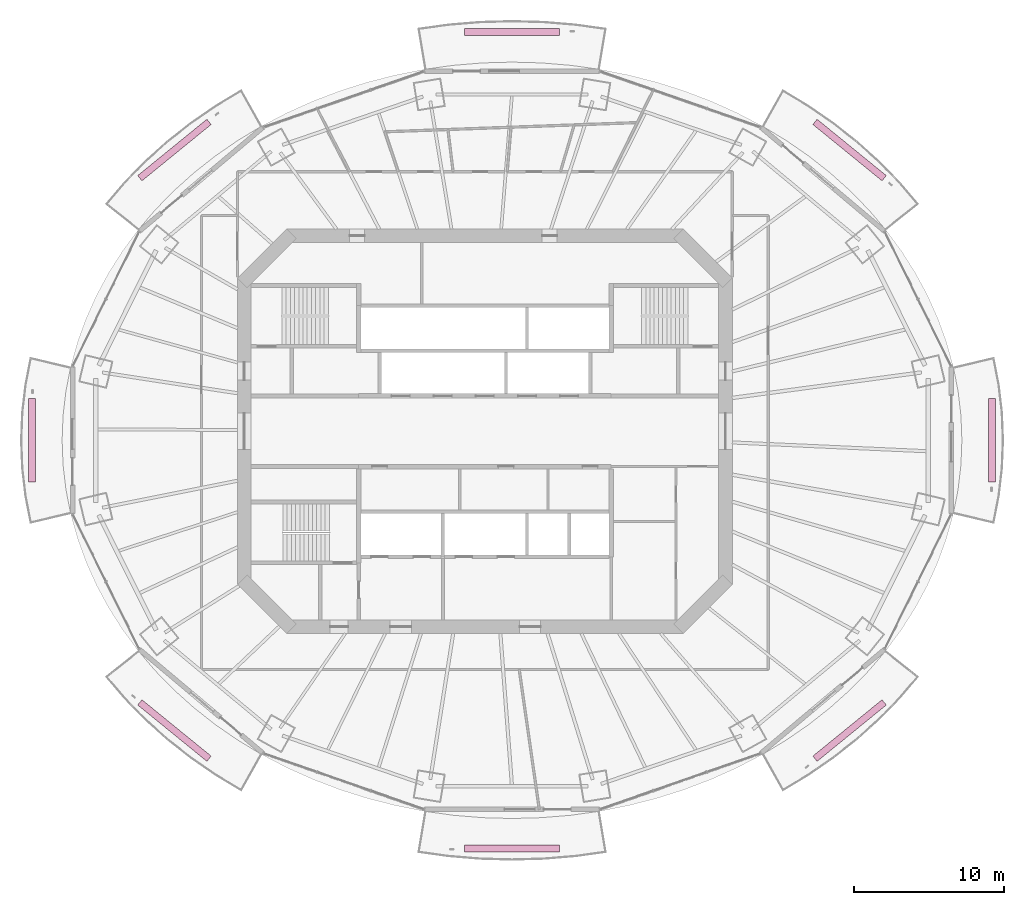
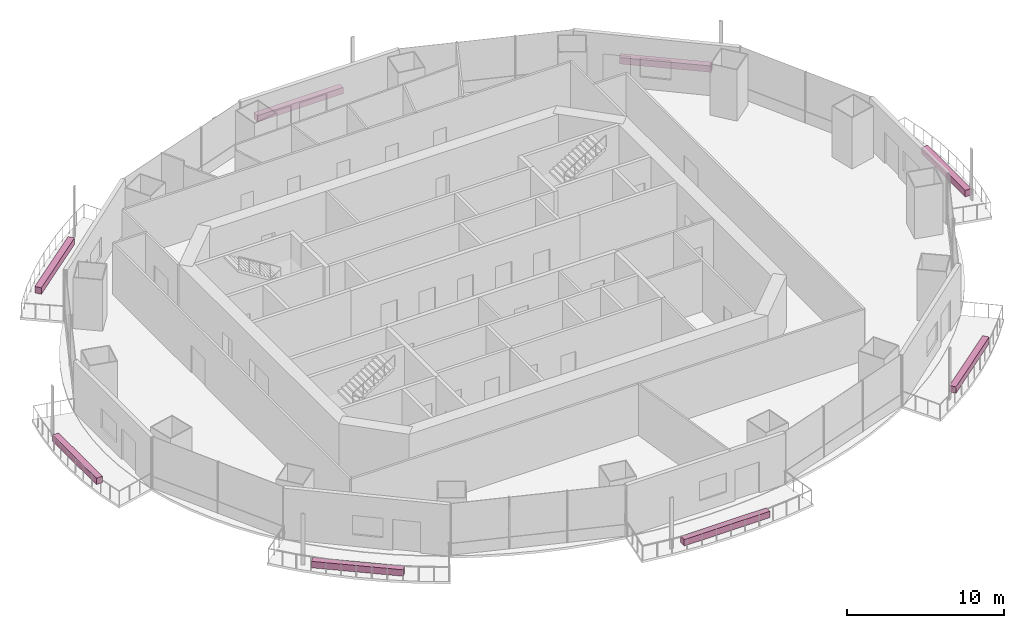
# One storey, part 19 of 19: 8 furnishings.
"""IFC4 building model written with IfcOpenShell, lengths in metres."""

import ifcopenshell
import ifcopenshell.guid

model = None  # the IFC model being written
_history = None  # IfcOwnerHistory: only IFC2X3 demands one
_inside = {}  # id of a spatial element -> (the spatial element, [elements in it])
_under = {}  # id of a project, library or spatial element -> (it, [spatial elements below it])
_declared = {}  # id of a project -> (the project, [libraries it declares])
_typed = {}  # id of a type object -> (the type object, [elements of that type])
_made_of = {}  # id of a material, layer set ... -> (it, [elements and type objects made of it])


def new_model(schema):
    """Start an empty IFC model of exactly this schema.

    Asked for "IFC4X3", IfcOpenShell would pick the latest addendum, in which some entities
    have other attributes; the version numbers below select the first issue.
    IFC2X3 requires an IfcOwnerHistory on every rooted entity: one is made here for all.
    """
    global model, _history
    if schema == "IFC4X3":
        model = ifcopenshell.file(schema_version=(4, 3, 0, 0))
    else:
        model = ifcopenshell.file(schema=schema)
    _inside.clear()
    _under.clear()
    _declared.clear()
    _typed.clear()
    _made_of.clear()
    _history = None
    if model.schema == "IFC2X3":
        org = make("IfcOrganization", Name="unknown")
        user = make(
            "IfcPersonAndOrganization",
            ThePerson=make("IfcPerson", FamilyName="unknown"),
            TheOrganization=org,
        )
        app = make(
            "IfcApplication",
            ApplicationDeveloper=org,
            Version="unknown",
            ApplicationFullName="unknown",
            ApplicationIdentifier="unknown",
        )
        _history = make(
            "IfcOwnerHistory",
            OwningUser=user,
            OwningApplication=app,
            ChangeAction="ADDED",
            CreationDate=0,
        )
    return model


def make(cls, **values):
    """One entity of the class cls with the attributes given. An attribute that is None is left unset."""
    return model.create_entity(
        cls, **{name: value for name, value in values.items() if value is not None}
    )


def rooted(cls, **values):
    """An entity with a GlobalId (a new one), such as an element, a storey or a relation."""
    return make(cls, GlobalId=ifcopenshell.guid.new(), OwnerHistory=_history, **values)


def si_unit(unit_type, name, prefix=None):
    """IfcSIUnit, for example si_unit("LENGTHUNIT", "METRE", prefix="MILLI")."""
    return make("IfcSIUnit", UnitType=unit_type, Prefix=prefix, Name=name)


def assignment(units):
    """IfcUnitAssignment: the units of a project."""
    return None if units is None else make("IfcUnitAssignment", Units=units)


def point(xyz):
    """IfcCartesianPoint."""
    return None if xyz is None else make("IfcCartesianPoint", Coordinates=xyz)


def direction(xyz):
    """IfcDirection."""
    return None if xyz is None else make("IfcDirection", DirectionRatios=xyz)


def frame(location, z_axis=None, x_axis=None):
    """IfcAxis2Placement3D, a coordinate frame: its origin and axes. An axis left out is left unset."""
    return make(
        "IfcAxis2Placement3D",
        Location=point(location),
        Axis=direction(z_axis),
        RefDirection=direction(x_axis),
    )


def frame_2d(location, x_axis=None):
    """IfcAxis2Placement2D, a coordinate frame in the plane: its origin and x axis."""
    return make(
        "IfcAxis2Placement2D", Location=point(location), RefDirection=direction(x_axis)
    )


def origin():
    """The frame at (0, 0, 0) with its axes left unset."""
    return frame((0.0, 0.0, 0.0))


def origin_2d():
    """The frame at (0, 0) in the plane with its x axis left unset."""
    return frame_2d((0.0, 0.0))


def place(relative_to, where):
    """IfcLocalPlacement: puts the frame where relative to a parent placement (None: the world)."""
    return make(
        "IfcLocalPlacement", PlacementRelTo=relative_to, RelativePlacement=where
    )


def context(
    kind, dimensions, precision=None, world=None, true_north=None, identifier=None
):
    """IfcGeometricRepresentationContext, for example the 3D "Model" context."""
    return make(
        "IfcGeometricRepresentationContext",
        ContextIdentifier=identifier,
        ContextType=kind,
        CoordinateSpaceDimension=dimensions,
        Precision=precision,
        WorldCoordinateSystem=world,
        TrueNorth=true_north,
    )


def subcontext(parent, identifier, kind, view, scale=None):
    """IfcGeometricRepresentationSubContext, for example "Body" below "Model"."""
    return make(
        "IfcGeometricRepresentationSubContext",
        ContextIdentifier=identifier,
        ContextType=kind,
        ParentContext=parent,
        TargetScale=scale,
        TargetView=view,
    )


def project(units=None, contexts=None):
    """IfcProject with its units and contexts."""
    return rooted(
        "IfcProject",
        Name="project",
        RepresentationContexts=contexts,
        UnitsInContext=assignment(units),
    )


def spatial(cls, under=None, at=None, **own):
    """A site, building, storey or space (cls), placed at a placement, below another one or the project."""
    s = rooted(cls, ObjectPlacement=at, **own)
    if under is not None:
        _under.setdefault(under.id(), (under, []))[1].append(s)
    return s


def profile(cls, at=None, kind="AREA", **sizes):
    """A parametric profile (cls). Its sizes go by their IFC names, for example OverallWidth=200.0."""
    return make(cls, ProfileType=kind, Position=at, **sizes)


def rectangle(**sizes):
    """IfcRectangleProfileDef."""
    return profile("IfcRectangleProfileDef", **sizes)


def extrude(swept, where, along, depth):
    """IfcExtrudedAreaSolid: the profile swept, set in the frame where, extruded along a direction by depth."""
    return make(
        "IfcExtrudedAreaSolid",
        SweptArea=swept,
        Position=where,
        ExtrudedDirection=direction(along),
        Depth=depth,
    )


def shape(context_of_items, identifier, shape_type, items):
    """IfcShapeRepresentation: the items that make up one representation, for example the "Body"."""
    return make(
        "IfcShapeRepresentation",
        ContextOfItems=context_of_items,
        RepresentationIdentifier=identifier,
        RepresentationType=shape_type,
        Items=items,
    )


def material(Name=None, Category=None):
    """IfcMaterial."""
    return make("IfcMaterial", Name=Name, Category=Category)


def made_of(thing, what):
    """Note that an element or type object is made of a material, layer set ...; save() writes the relation."""
    if what is not None:
        _made_of.setdefault(what.id(), (what, []))[1].append(thing)
    return thing


def type_object(cls, material=None, **own):
    """A type object (cls), such as IfcWallType, which elements share."""
    return made_of(rooted(cls, **own), material)


def element(
    cls,
    number,
    at=None,
    inside=None,
    cuts=None,
    type_object=None,
    material=None,
    context=None,
    identifier="Body",
    shape_type=None,
    held_by="IfcProductDefinitionShape",
    body=None,
    shapes=None,
    **own,
):
    """One element of the class cls, such as IfcWall. Its Tag is "e" and its number.

    at: its placement. inside: the storey or other place that contains it. cuts: it is an
    opening in that element (IfcRelVoidsElement). A single representation is given by context,
    identifier, shape_type and body (its items); several are given by shapes. held_by: the class
    of the entity that holds the representations. save() writes the other relations.
    """
    e = rooted(cls, Tag="e%d" % number, ObjectPlacement=at, **own)
    if body is not None:
        shapes = [shape(context, identifier, shape_type, body)]
    if shapes is not None:
        e.Representation = make(held_by, Representations=shapes)
    if inside is not None:
        _inside.setdefault(inside.id(), (inside, []))[1].append(e)
    if cuts is not None:
        rooted(
            "IfcRelVoidsElement", RelatingBuildingElement=cuts, RelatedOpeningElement=e
        )
    if type_object is not None:
        _typed.setdefault(type_object.id(), (type_object, []))[1].append(e)
    return made_of(e, material)


def aggregate(whole, parts):
    """IfcRelAggregates: a whole, such as a stair, and the parts it consists of."""
    return rooted("IfcRelAggregates", RelatingObject=whole, RelatedObjects=parts)


def save(model, path):
    """Write the relations noted so far, then the file.

    IfcRelAggregates (storeys below a building ...), IfcRelContainedInSpatialStructure (elements
    in a storey), IfcRelDefinesByType, IfcRelAssociatesMaterial and IfcRelDeclares: one each for
    every whole, place, type object, material and project.
    """
    for whole, parts in _under.values():
        aggregate(whole, parts)
    for where, things in _inside.values():
        rooted(
            "IfcRelContainedInSpatialStructure",
            RelatedElements=things,
            RelatingStructure=where,
        )
    for kind, things in _typed.values():
        rooted("IfcRelDefinesByType", RelatedObjects=things, RelatingType=kind)
    for what, things in _made_of.values():
        rooted("IfcRelAssociatesMaterial", RelatedObjects=things, RelatingMaterial=what)
    for by, libraries in _declared.values():
        rooted("IfcRelDeclares", RelatingContext=by, RelatedDefinitions=libraries)
    model.write(path)


model = new_model("IFC4")

# Units and contexts
model_context = context("Model", 3, precision=1e-05, world=origin(), true_north=direction((0.0, 1.0)))
body_context = subcontext(model_context, "Body", "Model", "MODEL_VIEW")
ifc_project = project(units=[si_unit("LENGTHUNIT", "METRE"), si_unit("AREAUNIT", "SQUARE_METRE"), si_unit("VOLUMEUNIT", "CUBIC_METRE"), si_unit("PLANEANGLEUNIT", "RADIAN"), si_unit("MASSUNIT", "GRAM", prefix="KILO")], contexts=[model_context])

# Site, building, storey
site_placement = place(None, origin())
site = spatial("IfcSite", under=ifc_project, at=site_placement, CompositionType="ELEMENT")
building_placement = place(site_placement, origin())
building = spatial("IfcBuilding", under=site, at=building_placement, Name="Marenthal Gate Tower", CompositionType="ELEMENT")
storey_placement = place(building_placement, frame((0.0, 0.0, 248.199951171875)))
storey = spatial("IfcBuildingStorey", under=building, at=storey_placement, Name="L55", CompositionType="ELEMENT", Elevation=248.199951171875)

# Furnishings
ifc_material = material(Name="Planting soil and foliage", Category="planting")
furnishing_element_type = type_object("IfcFurnishingElementType", Name="Balcony PLANTER trough", material=ifc_material)
furnishing_1_placement = place(storey_placement, frame((24.252197265625, 18.70556640625, -0.0400390625), z_axis=(0.0, 0.0, 1.0), x_axis=(-0.775504650552, 0.631341854285, 0.0)))
element("IfcFurnishingElement", 1, at=furnishing_1_placement, inside=storey, type_object=furnishing_element_type, Name="Balcony PLANTER L55 bay 2", ObjectType="PLANTER", context=body_context, shape_type="SweptSolid", body=[
    extrude(rectangle(XDim=5.931640625, YDim=0.449951171875, at=origin_2d()), origin(), (0.0, 0.0, 1.0), 0.5),
])
furnishing_2_placement = place(storey_placement, frame((1.800048828125, 26.549072265625, -0.0400390625), z_axis=(0.0, 0.0, 1.0), x_axis=(-1.0, 0.0, 0.0)))
element("IfcFurnishingElement", 2, at=furnishing_2_placement, inside=storey, type_object=furnishing_element_type, Name="Balcony PLANTER L55 bay 4", ObjectType="PLANTER", context=body_context, shape_type="SweptSolid", body=[
    extrude(rectangle(XDim=6.299560546875, YDim=0.449951171875, at=origin_2d()), origin(), (0.0, 0.0, 1.0), 0.5),
])
furnishing_3_placement = place(storey_placement, frame((-20.65234375, 18.70556640625, -0.0400390625), z_axis=(0.0, 0.0, 1.0), x_axis=(-0.775504650552, -0.631341854285, 0.0)))
element("IfcFurnishingElement", 3, at=furnishing_3_placement, inside=storey, type_object=furnishing_element_type, Name="Balcony PLANTER L55 bay 6", ObjectType="PLANTER", context=body_context, shape_type="SweptSolid", body=[
    extrude(rectangle(XDim=5.931640625, YDim=0.449951171875, at=origin_2d()), origin(), (0.0, 0.0, 1.0), 0.5),
])
furnishing_4_placement = place(storey_placement, frame((-30.117919921875, -0.60009765625, -0.0400390625), z_axis=(0.0, 0.0, 1.0), x_axis=(0.0, -1.0, 0.0)))
element("IfcFurnishingElement", 4, at=furnishing_4_placement, inside=storey, type_object=furnishing_element_type, Name="Balcony PLANTER L55 bay 8", ObjectType="PLANTER", context=body_context, shape_type="SweptSolid", body=[
    extrude(rectangle(XDim=5.552001953125, YDim=0.449951171875, at=origin_2d()), origin(), (0.0, 0.0, 1.0), 0.5),
])
furnishing_5_placement = place(storey_placement, frame((-20.65234375, -19.905517578125, -0.0400390625), z_axis=(0.0, 0.0, 1.0), x_axis=(0.775504650552, -0.631341854285, 0.0)))
element("IfcFurnishingElement", 5, at=furnishing_5_placement, inside=storey, type_object=furnishing_element_type, Name="Balcony PLANTER L55 bay 10", ObjectType="PLANTER", context=body_context, shape_type="SweptSolid", body=[
    extrude(rectangle(XDim=5.931640625, YDim=0.449951171875, at=origin_2d()), origin(), (0.0, 0.0, 1.0), 0.5),
])
furnishing_6_placement = place(storey_placement, frame((1.800048828125, -27.7490234375, -0.0400390625), z_axis=(0.0, 0.0, 1.0), x_axis=(1.0, 0.0, 0.0)))
element("IfcFurnishingElement", 6, at=furnishing_6_placement, inside=storey, type_object=furnishing_element_type, Name="Balcony PLANTER L55 bay 12", ObjectType="PLANTER", context=body_context, shape_type="SweptSolid", body=[
    extrude(rectangle(XDim=6.299560546875, YDim=0.449951171875, at=origin_2d()), origin(), (0.0, 0.0, 1.0), 0.5),
])
furnishing_7_placement = place(storey_placement, frame((24.252197265625, -19.905517578125, -0.0400390625), z_axis=(0.0, 0.0, 1.0), x_axis=(0.775504650552, 0.631341854285, 0.0)))
element("IfcFurnishingElement", 7, at=furnishing_7_placement, inside=storey, type_object=furnishing_element_type, Name="Balcony PLANTER L55 bay 14", ObjectType="PLANTER", context=body_context, shape_type="SweptSolid", body=[
    extrude(rectangle(XDim=5.931640625, YDim=0.449951171875, at=origin_2d()), origin(), (0.0, 0.0, 1.0), 0.5),
])
furnishing_8_placement = place(storey_placement, frame((33.718017578125, -0.60009765625, -0.0400390625), z_axis=(0.0, 0.0, 1.0), x_axis=(0.0, 1.0, 0.0)))
element("IfcFurnishingElement", 8, at=furnishing_8_placement, inside=storey, type_object=furnishing_element_type, Name="Balcony PLANTER L55 bay 16", ObjectType="PLANTER", context=body_context, shape_type="SweptSolid", body=[
    extrude(rectangle(XDim=5.552001953125, YDim=0.449951171875, at=origin_2d()), origin(), (0.0, 0.0, 1.0), 0.5),
])

save(model, "model.ifc")
